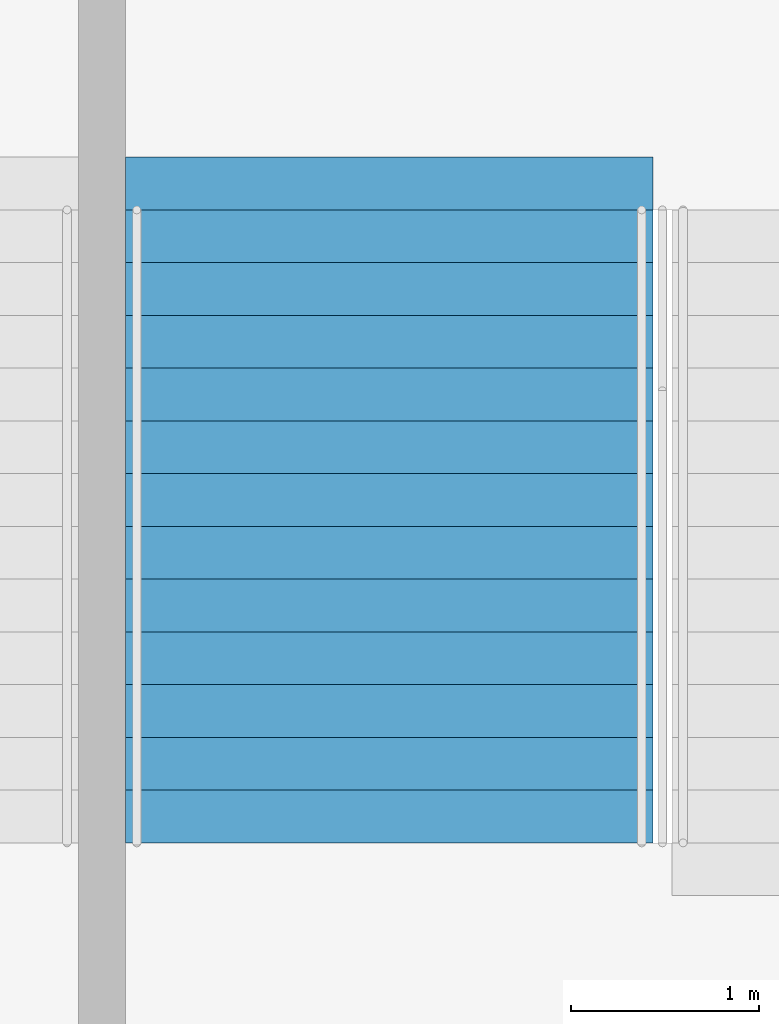
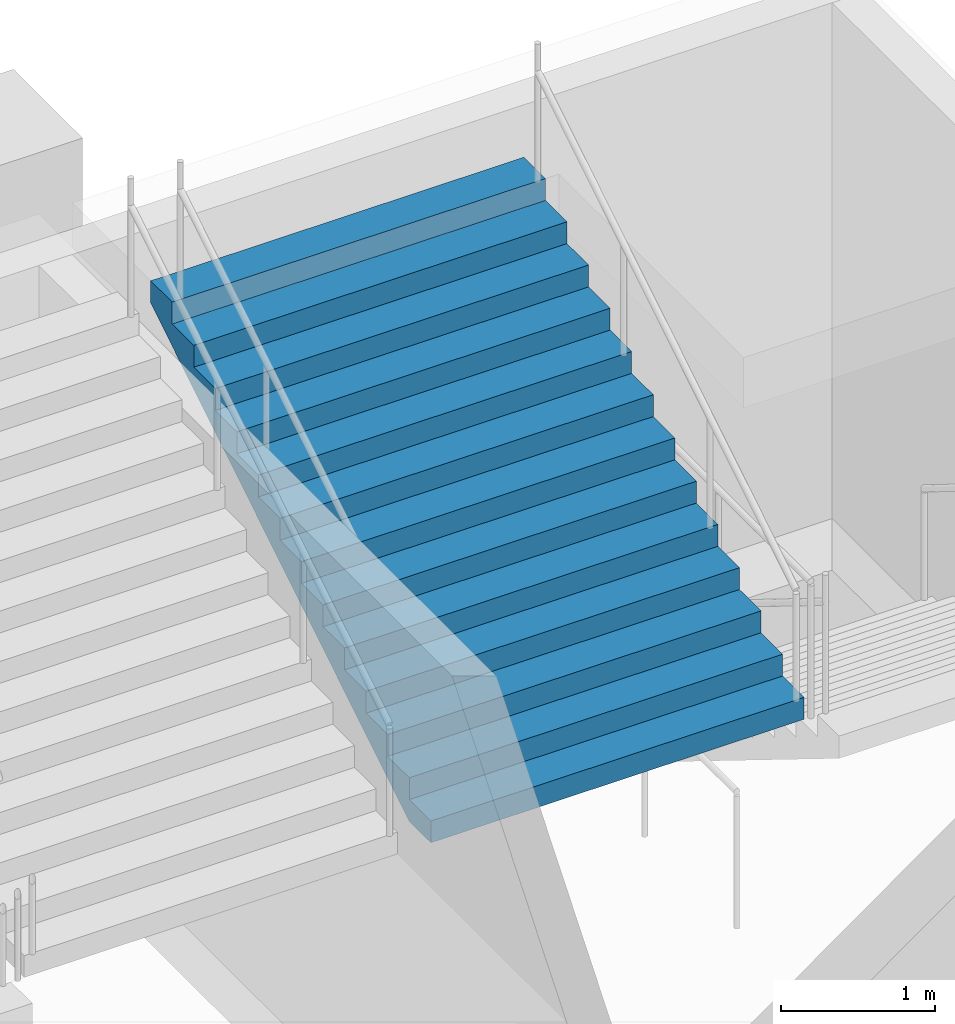
# One storey, part 100 of 177: 1 stair flight, 1 element without a shape of its own.
"""IFC4 building model written with IfcOpenShell, lengths in metres."""

from ifc_helpers import new_model, si_unit, direction, frame, origin, place, context, subcontext, project, spatial, faceted_brep, material, type_object, element, aggregate, save


model = new_model("IFC4")

# Units and contexts
model_context = context("Model", 3, precision=1e-05, world=origin(), true_north=direction((0.0, 1.0)))
body_context = subcontext(model_context, "Body", "Model", "MODEL_VIEW")
ifc_project = project(units=[si_unit("LENGTHUNIT", "METRE"), si_unit("AREAUNIT", "SQUARE_METRE"), si_unit("VOLUMEUNIT", "CUBIC_METRE"), si_unit("PLANEANGLEUNIT", "RADIAN"), si_unit("MASSUNIT", "GRAM", prefix="KILO")], contexts=[model_context])

# Site, building, storey
site_placement = place(None, origin())
site = spatial("IfcSite", under=ifc_project, at=site_placement, CompositionType="ELEMENT")
building_placement = place(site_placement, origin())
building = spatial("IfcBuilding", under=site, at=building_placement, Name="Ogive Plaza Stadium", CompositionType="ELEMENT")
storey_placement = place(building_placement, frame((0.0, 0.0, 18.0)))
storey = spatial("IfcBuildingStorey", under=building, at=storey_placement, Name="L04", CompositionType="ELEMENT", Elevation=18.0)

# Stair, stair flight
ifc_material_1 = material(Name="Concrete C40/50", Category="concrete")
stair_type = type_object("IfcStairType", Name="Exit stair", PredefinedType="STRAIGHT_RUN_STAIR", material=ifc_material_1)
stair_placement = place(storey_placement, origin())
stair = element("IfcStair", 1, at=stair_placement, inside=storey, type_object=stair_type, Name="Exit stair ST14B L04 to L05", PredefinedType="STRAIGHT_RUN_STAIR")
ifc_material_2 = material(Name="Concrete C40/50", Category="concrete")
stair_flight_type = type_object("IfcStairFlightType", Name="Exit stair flight", PredefinedType="STRAIGHT", material=ifc_material_2)
stair_flight_placement = place(storey_placement, frame((8.324951171875, -98.2099609375, 2.25), z_axis=(0.0, 0.0, 1.0), x_axis=(0.0, 1.0, 0.0)))
stair_flight = element("IfcStairFlight", 2, at=stair_flight_placement, type_object=stair_flight_type, Name="ST14B flight 2", NumberOfRisers=13, NumberOfTreads=12, PredefinedType="STRAIGHT", RiserHeight=0.173076923, TreadLength=0.28, context=body_context, shape_type="Brep", body=[
    faceted_brep([(0.28515625, -1.39990234375, 0.0), (3.639892578125, -1.39990234375, 2.07373046875), (3.639892578125, -1.39990234375, 2.25), (3.360107421875, -1.39990234375, 2.25), (3.360107421875, -1.39990234375, 2.076904296875), (3.080078125, -1.39990234375, 2.076904296875), (3.080078125, -1.39990234375, 1.90380859375), (2.800048828125, -1.39990234375, 1.90380859375), (2.800048828125, -1.39990234375, 1.730712890625), (2.52001953125, -1.39990234375, 1.730712890625), (2.52001953125, -1.39990234375, 1.5576171875), (2.239990234375, -1.39990234375, 1.5576171875), (2.239990234375, -1.39990234375, 1.384521484375), (1.9599609375, -1.39990234375, 1.384521484375), (1.9599609375, -1.39990234375, 1.21142578125), (1.679931640625, -1.39990234375, 1.21142578125), (1.679931640625, -1.39990234375, 1.03857421875), (1.39990234375, -1.39990234375, 1.03857421875), (1.39990234375, -1.39990234375, 0.865478515625), (1.1201171875, -1.39990234375, 0.865478515625), (1.1201171875, -1.39990234375, 0.6923828125), (0.840087890625, -1.39990234375, 0.6923828125), (0.840087890625, -1.39990234375, 0.519287109375), (0.56005859375, -1.39990234375, 0.519287109375), (0.56005859375, -1.39990234375, 0.34619140625), (0.280029296875, -1.39990234375, 0.34619140625), (0.280029296875, -1.39990234375, 0.173095703125), (0.0, -1.39990234375, 0.173095703125), (0.0, -1.39990234375, 0.0), (0.0, 1.39990234375, 0.0), (0.0, 1.39990234375, 0.173095703125), (0.280029296875, 1.39990234375, 0.173095703125), (0.280029296875, 1.39990234375, 0.34619140625), (0.56005859375, 1.39990234375, 0.34619140625), (0.56005859375, 1.39990234375, 0.519287109375), (0.840087890625, 1.39990234375, 0.519287109375), (0.840087890625, 1.39990234375, 0.6923828125), (1.1201171875, 1.39990234375, 0.6923828125), (1.1201171875, 1.39990234375, 0.865478515625), (1.39990234375, 1.39990234375, 0.865478515625), (1.39990234375, 1.39990234375, 1.03857421875), (1.679931640625, 1.39990234375, 1.03857421875), (1.679931640625, 1.39990234375, 1.21142578125), (1.9599609375, 1.39990234375, 1.21142578125), (1.9599609375, 1.39990234375, 1.384521484375), (2.239990234375, 1.39990234375, 1.384521484375), (2.239990234375, 1.39990234375, 1.5576171875), (2.52001953125, 1.39990234375, 1.5576171875), (2.52001953125, 1.39990234375, 1.730712890625), (2.800048828125, 1.39990234375, 1.730712890625), (2.800048828125, 1.39990234375, 1.90380859375), (3.080078125, 1.39990234375, 1.90380859375), (3.080078125, 1.39990234375, 2.076904296875), (3.360107421875, 1.39990234375, 2.076904296875), (3.360107421875, 1.39990234375, 2.25), (3.639892578125, 1.39990234375, 2.25), (3.639892578125, 1.39990234375, 2.07373046875), (0.28515625, 1.39990234375, 0.0), (0.28515625, -1.0888671875, 0.0), (3.639892578125, -1.0888671875, 2.07373046875), (0.28515625, -0.77783203125, 0.0), (3.639892578125, -0.77783203125, 2.07373046875), (0.28515625, -0.466796875, 0.0), (3.639892578125, -0.466796875, 2.07373046875), (0.28515625, -0.155517578125, 0.0), (3.639892578125, -0.155517578125, 2.07373046875), (0.28515625, 0.155517578125, 0.0), (3.639892578125, 0.155517578125, 2.07373046875), (0.28515625, 0.466796875, 0.0), (3.639892578125, 0.466796875, 2.07373046875), (0.28515625, 0.77783203125, 0.0), (3.639892578125, 0.77783203125, 2.07373046875), (0.28515625, 1.0888671875, 0.0), (3.639892578125, 1.0888671875, 2.07373046875), (3.639892578125, -1.0888671875, 2.25), (3.639892578125, -0.77783203125, 2.25), (3.639892578125, -0.466796875, 2.25), (3.639892578125, -0.155517578125, 2.25), (3.639892578125, 0.155517578125, 2.25), (3.639892578125, 0.466796875, 2.25), (3.639892578125, 0.77783203125, 2.25), (3.639892578125, 1.0888671875, 2.25), (3.360107421875, -1.0888671875, 2.25), (3.360107421875, -0.77783203125, 2.25), (3.360107421875, -0.466796875, 2.25), (3.360107421875, -0.155517578125, 2.25), (3.360107421875, 0.155517578125, 2.25), (3.360107421875, 0.466796875, 2.25), (3.360107421875, 0.77783203125, 2.25), (3.360107421875, 1.0888671875, 2.25), (3.360107421875, -1.0888671875, 2.076904296875), (3.360107421875, -0.77783203125, 2.076904296875), (3.360107421875, -0.466796875, 2.076904296875), (3.360107421875, -0.155517578125, 2.076904296875), (3.360107421875, 0.155517578125, 2.076904296875), (3.360107421875, 0.466796875, 2.076904296875), (3.360107421875, 0.77783203125, 2.076904296875), (3.360107421875, 1.0888671875, 2.076904296875), (3.080078125, -1.0888671875, 2.076904296875), (3.080078125, -0.77783203125, 2.076904296875), (3.080078125, -0.466796875, 2.076904296875), (3.080078125, -0.155517578125, 2.076904296875), (3.080078125, 0.155517578125, 2.076904296875), (3.080078125, 0.466796875, 2.076904296875), (3.080078125, 0.77783203125, 2.076904296875), (3.080078125, 1.0888671875, 2.076904296875), (3.080078125, -1.0888671875, 1.90380859375), (3.080078125, -0.77783203125, 1.90380859375), (3.080078125, -0.466796875, 1.90380859375), (3.080078125, -0.155517578125, 1.90380859375), (3.080078125, 0.155517578125, 1.90380859375), (3.080078125, 0.466796875, 1.90380859375), (3.080078125, 0.77783203125, 1.90380859375), (3.080078125, 1.0888671875, 1.90380859375), (2.800048828125, -1.0888671875, 1.90380859375), (2.800048828125, -0.77783203125, 1.90380859375), (2.800048828125, -0.466796875, 1.90380859375), (2.800048828125, -0.155517578125, 1.90380859375), (2.800048828125, 0.155517578125, 1.90380859375), (2.800048828125, 0.466796875, 1.90380859375), (2.800048828125, 0.77783203125, 1.90380859375), (2.800048828125, 1.0888671875, 1.90380859375), (2.800048828125, -1.0888671875, 1.730712890625), (2.800048828125, -0.77783203125, 1.730712890625), (2.800048828125, -0.466796875, 1.730712890625), (2.800048828125, -0.155517578125, 1.730712890625), (2.800048828125, 0.155517578125, 1.730712890625), (2.800048828125, 0.466796875, 1.730712890625), (2.800048828125, 0.77783203125, 1.730712890625), (2.800048828125, 1.0888671875, 1.730712890625), (2.52001953125, -1.0888671875, 1.730712890625), (2.52001953125, -0.77783203125, 1.730712890625), (2.52001953125, -0.466796875, 1.730712890625), (2.52001953125, -0.155517578125, 1.730712890625), (2.52001953125, 0.155517578125, 1.730712890625), (2.52001953125, 0.466796875, 1.730712890625), (2.52001953125, 0.77783203125, 1.730712890625), (2.52001953125, 1.0888671875, 1.730712890625), (2.52001953125, -1.0888671875, 1.5576171875), (2.52001953125, -0.77783203125, 1.5576171875), (2.52001953125, -0.466796875, 1.5576171875), (2.52001953125, -0.155517578125, 1.5576171875), (2.52001953125, 0.155517578125, 1.5576171875), (2.52001953125, 0.466796875, 1.5576171875), (2.52001953125, 0.77783203125, 1.5576171875), (2.52001953125, 1.0888671875, 1.5576171875), (2.239990234375, -1.0888671875, 1.5576171875), (2.239990234375, -0.77783203125, 1.5576171875), (2.239990234375, -0.466796875, 1.5576171875), (2.239990234375, -0.155517578125, 1.5576171875), (2.239990234375, 0.155517578125, 1.5576171875), (2.239990234375, 0.466796875, 1.5576171875), (2.239990234375, 0.77783203125, 1.5576171875), (2.239990234375, 1.0888671875, 1.5576171875), (2.239990234375, -1.0888671875, 1.384521484375), (2.239990234375, -0.77783203125, 1.384521484375), (2.239990234375, -0.466796875, 1.384521484375), (2.239990234375, -0.155517578125, 1.384521484375), (2.239990234375, 0.155517578125, 1.384521484375), (2.239990234375, 0.466796875, 1.384521484375), (2.239990234375, 0.77783203125, 1.384521484375), (2.239990234375, 1.0888671875, 1.384521484375), (1.9599609375, -1.0888671875, 1.384521484375), (1.9599609375, -0.77783203125, 1.384521484375), (1.9599609375, -0.466796875, 1.384521484375), (1.9599609375, -0.155517578125, 1.384521484375), (1.9599609375, 0.155517578125, 1.384521484375), (1.9599609375, 0.466796875, 1.384521484375), (1.9599609375, 0.77783203125, 1.384521484375), (1.9599609375, 1.0888671875, 1.384521484375), (1.9599609375, -1.0888671875, 1.21142578125), (1.9599609375, -0.77783203125, 1.21142578125), (1.9599609375, -0.466796875, 1.21142578125), (1.9599609375, -0.155517578125, 1.21142578125), (1.9599609375, 0.155517578125, 1.21142578125), (1.9599609375, 0.466796875, 1.21142578125), (1.9599609375, 0.77783203125, 1.21142578125), (1.9599609375, 1.0888671875, 1.21142578125), (1.679931640625, -1.0888671875, 1.21142578125), (1.679931640625, -0.77783203125, 1.21142578125), (1.679931640625, -0.466796875, 1.21142578125), (1.679931640625, -0.155517578125, 1.21142578125), (1.679931640625, 0.155517578125, 1.21142578125), (1.679931640625, 0.466796875, 1.21142578125), (1.679931640625, 0.77783203125, 1.21142578125), (1.679931640625, 1.0888671875, 1.21142578125), (1.679931640625, -1.0888671875, 1.03857421875), (1.679931640625, -0.77783203125, 1.03857421875), (1.679931640625, -0.466796875, 1.03857421875), (1.679931640625, -0.155517578125, 1.03857421875), (1.679931640625, 0.155517578125, 1.03857421875), (1.679931640625, 0.466796875, 1.03857421875), (1.679931640625, 0.77783203125, 1.03857421875), (1.679931640625, 1.0888671875, 1.03857421875), (1.39990234375, -1.0888671875, 1.03857421875), (1.39990234375, -0.77783203125, 1.03857421875), (1.39990234375, -0.466796875, 1.03857421875), (1.39990234375, -0.155517578125, 1.03857421875), (1.39990234375, 0.155517578125, 1.03857421875), (1.39990234375, 0.466796875, 1.03857421875), (1.39990234375, 0.77783203125, 1.03857421875), (1.39990234375, 1.0888671875, 1.03857421875), (1.39990234375, -1.0888671875, 0.865478515625), (1.39990234375, -0.77783203125, 0.865478515625), (1.39990234375, -0.466796875, 0.865478515625), (1.39990234375, -0.155517578125, 0.865478515625), (1.39990234375, 0.155517578125, 0.865478515625), (1.39990234375, 0.466796875, 0.865478515625), (1.39990234375, 0.77783203125, 0.865478515625), (1.39990234375, 1.0888671875, 0.865478515625), (1.1201171875, -1.0888671875, 0.865478515625), (1.1201171875, -0.77783203125, 0.865478515625), (1.1201171875, -0.466796875, 0.865478515625), (1.1201171875, -0.155517578125, 0.865478515625), (1.1201171875, 0.155517578125, 0.865478515625), (1.1201171875, 0.466796875, 0.865478515625), (1.1201171875, 0.77783203125, 0.865478515625), (1.1201171875, 1.0888671875, 0.865478515625), (1.1201171875, -1.0888671875, 0.6923828125), (1.1201171875, -0.77783203125, 0.6923828125), (1.1201171875, -0.466796875, 0.6923828125), (1.1201171875, -0.155517578125, 0.6923828125), (1.1201171875, 0.155517578125, 0.6923828125), (1.1201171875, 0.466796875, 0.6923828125), (1.1201171875, 0.77783203125, 0.6923828125), (1.1201171875, 1.0888671875, 0.6923828125), (0.840087890625, -1.0888671875, 0.6923828125), (0.840087890625, -0.77783203125, 0.6923828125), (0.840087890625, -0.466796875, 0.6923828125), (0.840087890625, -0.155517578125, 0.6923828125), (0.840087890625, 0.155517578125, 0.6923828125), (0.840087890625, 0.466796875, 0.6923828125), (0.840087890625, 0.77783203125, 0.6923828125), (0.840087890625, 1.0888671875, 0.6923828125), (0.840087890625, -1.0888671875, 0.519287109375), (0.840087890625, -0.77783203125, 0.519287109375), (0.840087890625, -0.466796875, 0.519287109375), (0.840087890625, -0.155517578125, 0.519287109375), (0.840087890625, 0.155517578125, 0.519287109375), (0.840087890625, 0.466796875, 0.519287109375), (0.840087890625, 0.77783203125, 0.519287109375), (0.840087890625, 1.0888671875, 0.519287109375), (0.56005859375, -1.0888671875, 0.519287109375), (0.56005859375, -0.77783203125, 0.519287109375), (0.56005859375, -0.466796875, 0.519287109375), (0.56005859375, -0.155517578125, 0.519287109375), (0.56005859375, 0.155517578125, 0.519287109375), (0.56005859375, 0.466796875, 0.519287109375), (0.56005859375, 0.77783203125, 0.519287109375), (0.56005859375, 1.0888671875, 0.519287109375), (0.56005859375, -1.0888671875, 0.34619140625), (0.56005859375, -0.77783203125, 0.34619140625), (0.56005859375, -0.466796875, 0.34619140625), (0.56005859375, -0.155517578125, 0.34619140625), (0.56005859375, 0.155517578125, 0.34619140625), (0.56005859375, 0.466796875, 0.34619140625), (0.56005859375, 0.77783203125, 0.34619140625), (0.56005859375, 1.0888671875, 0.34619140625), (0.280029296875, -1.0888671875, 0.34619140625), (0.280029296875, -0.77783203125, 0.34619140625), (0.280029296875, -0.466796875, 0.34619140625), (0.280029296875, -0.155517578125, 0.34619140625), (0.280029296875, 0.155517578125, 0.34619140625), (0.280029296875, 0.466796875, 0.34619140625), (0.280029296875, 0.77783203125, 0.34619140625), (0.280029296875, 1.0888671875, 0.34619140625), (0.280029296875, -1.0888671875, 0.173095703125), (0.280029296875, -0.77783203125, 0.173095703125), (0.280029296875, -0.466796875, 0.173095703125), (0.280029296875, -0.155517578125, 0.173095703125), (0.280029296875, 0.155517578125, 0.173095703125), (0.280029296875, 0.466796875, 0.173095703125), (0.280029296875, 0.77783203125, 0.173095703125), (0.280029296875, 1.0888671875, 0.173095703125), (0.0, -1.0888671875, 0.173095703125), (0.0, -0.77783203125, 0.173095703125), (0.0, -0.466796875, 0.173095703125), (0.0, -0.155517578125, 0.173095703125), (0.0, 0.155517578125, 0.173095703125), (0.0, 0.466796875, 0.173095703125), (0.0, 0.77783203125, 0.173095703125), (0.0, 1.0888671875, 0.173095703125), (0.0, -1.0888671875, 0.0), (0.0, -0.77783203125, 0.0), (0.0, -0.466796875, 0.0), (0.0, -0.155517578125, 0.0), (0.0, 0.155517578125, 0.0), (0.0, 0.466796875, 0.0), (0.0, 0.77783203125, 0.0), (0.0, 1.0888671875, 0.0)], [[[0, 1, 2, 3, 4, 5, 6, 7, 8, 9, 10, 11, 12, 13, 14, 15, 16, 17, 18, 19, 20, 21, 22, 23, 24, 25, 26, 27, 28]], [[29, 30, 31, 32, 33, 34, 35, 36, 37, 38, 39, 40, 41, 42, 43, 44, 45, 46, 47, 48, 49, 50, 51, 52, 53, 54, 55, 56, 57]], [[0, 58, 59, 1]], [[58, 60, 61, 59]], [[60, 62, 63, 61]], [[62, 64, 65, 63]], [[64, 66, 67, 65]], [[66, 68, 69, 67]], [[68, 70, 71, 69]], [[70, 72, 73, 71]], [[72, 57, 56, 73]], [[1, 59, 74, 2]], [[59, 61, 75, 74]], [[61, 63, 76, 75]], [[63, 65, 77, 76]], [[65, 67, 78, 77]], [[67, 69, 79, 78]], [[69, 71, 80, 79]], [[71, 73, 81, 80]], [[73, 56, 55, 81]], [[2, 74, 82, 3]], [[74, 75, 83, 82]], [[75, 76, 84, 83]], [[76, 77, 85, 84]], [[77, 78, 86, 85]], [[78, 79, 87, 86]], [[79, 80, 88, 87]], [[80, 81, 89, 88]], [[81, 55, 54, 89]], [[3, 82, 90, 4]], [[82, 83, 91, 90]], [[83, 84, 92, 91]], [[84, 85, 93, 92]], [[85, 86, 94, 93]], [[86, 87, 95, 94]], [[87, 88, 96, 95]], [[88, 89, 97, 96]], [[89, 54, 53, 97]], [[4, 90, 98, 5]], [[90, 91, 99, 98]], [[91, 92, 100, 99]], [[92, 93, 101, 100]], [[93, 94, 102, 101]], [[94, 95, 103, 102]], [[95, 96, 104, 103]], [[96, 97, 105, 104]], [[97, 53, 52, 105]], [[5, 98, 106, 6]], [[98, 99, 107, 106]], [[99, 100, 108, 107]], [[100, 101, 109, 108]], [[101, 102, 110, 109]], [[102, 103, 111, 110]], [[103, 104, 112, 111]], [[104, 105, 113, 112]], [[105, 52, 51, 113]], [[6, 106, 114, 7]], [[106, 107, 115, 114]], [[107, 108, 116, 115]], [[108, 109, 117, 116]], [[109, 110, 118, 117]], [[110, 111, 119, 118]], [[111, 112, 120, 119]], [[112, 113, 121, 120]], [[113, 51, 50, 121]], [[7, 114, 122, 8]], [[114, 115, 123, 122]], [[115, 116, 124, 123]], [[116, 117, 125, 124]], [[117, 118, 126, 125]], [[118, 119, 127, 126]], [[119, 120, 128, 127]], [[120, 121, 129, 128]], [[121, 50, 49, 129]], [[8, 122, 130, 9]], [[122, 123, 131, 130]], [[123, 124, 132, 131]], [[124, 125, 133, 132]], [[125, 126, 134, 133]], [[126, 127, 135, 134]], [[127, 128, 136, 135]], [[128, 129, 137, 136]], [[129, 49, 48, 137]], [[9, 130, 138, 10]], [[130, 131, 139, 138]], [[131, 132, 140, 139]], [[132, 133, 141, 140]], [[133, 134, 142, 141]], [[134, 135, 143, 142]], [[135, 136, 144, 143]], [[136, 137, 145, 144]], [[137, 48, 47, 145]], [[10, 138, 146, 11]], [[138, 139, 147, 146]], [[139, 140, 148, 147]], [[140, 141, 149, 148]], [[141, 142, 150, 149]], [[142, 143, 151, 150]], [[143, 144, 152, 151]], [[144, 145, 153, 152]], [[145, 47, 46, 153]], [[11, 146, 154, 12]], [[146, 147, 155, 154]], [[147, 148, 156, 155]], [[148, 149, 157, 156]], [[149, 150, 158, 157]], [[150, 151, 159, 158]], [[151, 152, 160, 159]], [[152, 153, 161, 160]], [[153, 46, 45, 161]], [[12, 154, 162, 13]], [[154, 155, 163, 162]], [[155, 156, 164, 163]], [[156, 157, 165, 164]], [[157, 158, 166, 165]], [[158, 159, 167, 166]], [[159, 160, 168, 167]], [[160, 161, 169, 168]], [[161, 45, 44, 169]], [[13, 162, 170, 14]], [[162, 163, 171, 170]], [[163, 164, 172, 171]], [[164, 165, 173, 172]], [[165, 166, 174, 173]], [[166, 167, 175, 174]], [[167, 168, 176, 175]], [[168, 169, 177, 176]], [[169, 44, 43, 177]], [[14, 170, 178, 15]], [[170, 171, 179, 178]], [[171, 172, 180, 179]], [[172, 173, 181, 180]], [[173, 174, 182, 181]], [[174, 175, 183, 182]], [[175, 176, 184, 183]], [[176, 177, 185, 184]], [[177, 43, 42, 185]], [[15, 178, 186, 16]], [[178, 179, 187, 186]], [[179, 180, 188, 187]], [[180, 181, 189, 188]], [[181, 182, 190, 189]], [[182, 183, 191, 190]], [[183, 184, 192, 191]], [[184, 185, 193, 192]], [[185, 42, 41, 193]], [[16, 186, 194, 17]], [[186, 187, 195, 194]], [[187, 188, 196, 195]], [[188, 189, 197, 196]], [[189, 190, 198, 197]], [[190, 191, 199, 198]], [[191, 192, 200, 199]], [[192, 193, 201, 200]], [[193, 41, 40, 201]], [[17, 194, 202, 18]], [[194, 195, 203, 202]], [[195, 196, 204, 203]], [[196, 197, 205, 204]], [[197, 198, 206, 205]], [[198, 199, 207, 206]], [[199, 200, 208, 207]], [[200, 201, 209, 208]], [[201, 40, 39, 209]], [[18, 202, 210, 19]], [[202, 203, 211, 210]], [[203, 204, 212, 211]], [[204, 205, 213, 212]], [[205, 206, 214, 213]], [[206, 207, 215, 214]], [[207, 208, 216, 215]], [[208, 209, 217, 216]], [[209, 39, 38, 217]], [[19, 210, 218, 20]], [[210, 211, 219, 218]], [[211, 212, 220, 219]], [[212, 213, 221, 220]], [[213, 214, 222, 221]], [[214, 215, 223, 222]], [[215, 216, 224, 223]], [[216, 217, 225, 224]], [[217, 38, 37, 225]], [[20, 218, 226, 21]], [[218, 219, 227, 226]], [[219, 220, 228, 227]], [[220, 221, 229, 228]], [[221, 222, 230, 229]], [[222, 223, 231, 230]], [[223, 224, 232, 231]], [[224, 225, 233, 232]], [[225, 37, 36, 233]], [[21, 226, 234, 22]], [[226, 227, 235, 234]], [[227, 228, 236, 235]], [[228, 229, 237, 236]], [[229, 230, 238, 237]], [[230, 231, 239, 238]], [[231, 232, 240, 239]], [[232, 233, 241, 240]], [[233, 36, 35, 241]], [[22, 234, 242, 23]], [[234, 235, 243, 242]], [[235, 236, 244, 243]], [[236, 237, 245, 244]], [[237, 238, 246, 245]], [[238, 239, 247, 246]], [[239, 240, 248, 247]], [[240, 241, 249, 248]], [[241, 35, 34, 249]], [[23, 242, 250, 24]], [[242, 243, 251, 250]], [[243, 244, 252, 251]], [[244, 245, 253, 252]], [[245, 246, 254, 253]], [[246, 247, 255, 254]], [[247, 248, 256, 255]], [[248, 249, 257, 256]], [[249, 34, 33, 257]], [[24, 250, 258, 25]], [[250, 251, 259, 258]], [[251, 252, 260, 259]], [[252, 253, 261, 260]], [[253, 254, 262, 261]], [[254, 255, 263, 262]], [[255, 256, 264, 263]], [[256, 257, 265, 264]], [[257, 33, 32, 265]], [[25, 258, 266, 26]], [[258, 259, 267, 266]], [[259, 260, 268, 267]], [[260, 261, 269, 268]], [[261, 262, 270, 269]], [[262, 263, 271, 270]], [[263, 264, 272, 271]], [[264, 265, 273, 272]], [[265, 32, 31, 273]], [[26, 266, 274, 27]], [[266, 267, 275, 274]], [[267, 268, 276, 275]], [[268, 269, 277, 276]], [[269, 270, 278, 277]], [[270, 271, 279, 278]], [[271, 272, 280, 279]], [[272, 273, 281, 280]], [[273, 31, 30, 281]], [[27, 274, 282, 28]], [[274, 275, 283, 282]], [[275, 276, 284, 283]], [[276, 277, 285, 284]], [[277, 278, 286, 285]], [[278, 279, 287, 286]], [[279, 280, 288, 287]], [[280, 281, 289, 288]], [[281, 30, 29, 289]], [[28, 282, 58, 0]], [[282, 283, 60, 58]], [[283, 284, 62, 60]], [[284, 285, 64, 62]], [[285, 286, 66, 64]], [[286, 287, 68, 66]], [[287, 288, 70, 68]], [[288, 289, 72, 70]], [[289, 29, 57, 72]]]),
])
aggregate(stair, [stair_flight])

save(model, "model.ifc")
